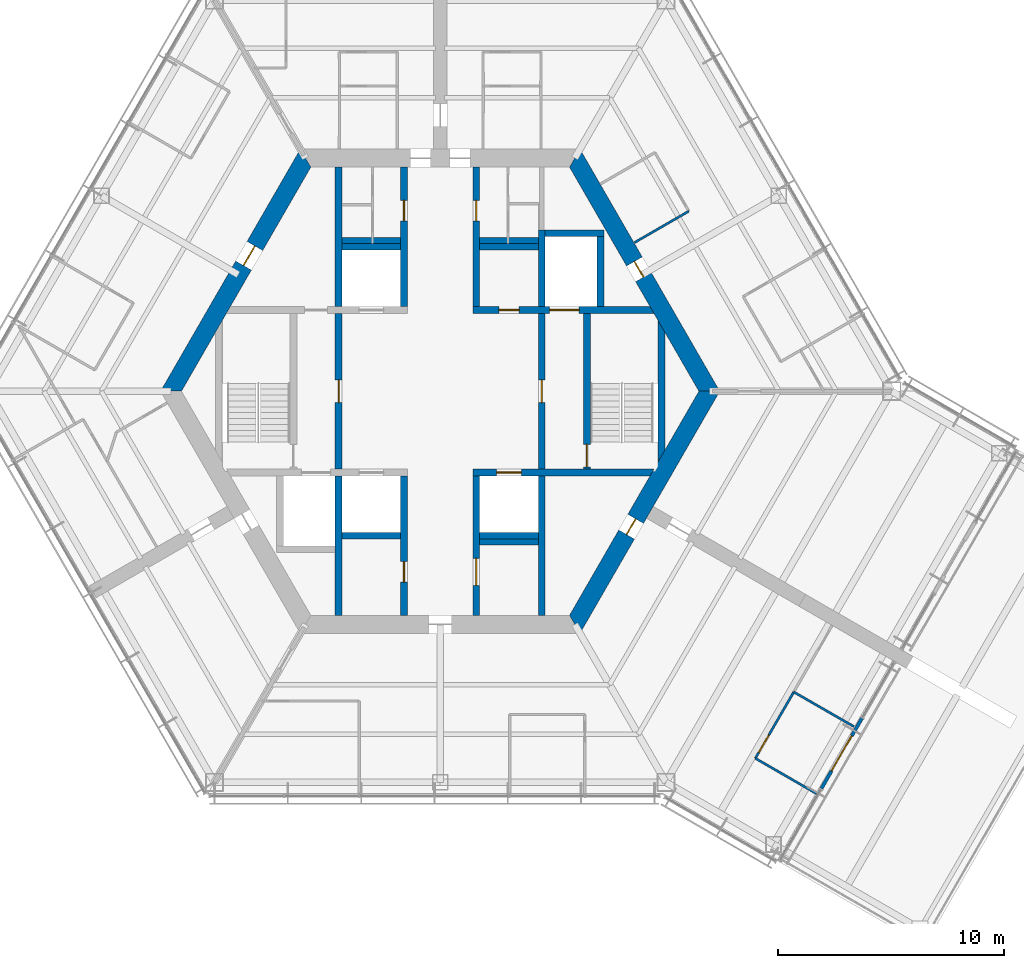
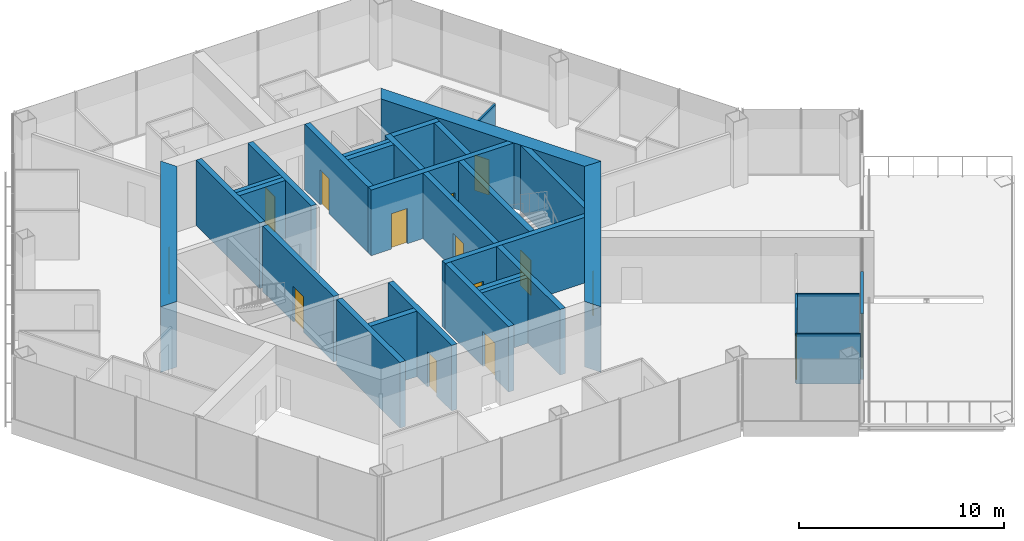
# One storey, part 8 of 13: 31 walls, 15 doors, 15 openings.
"""IFC4 building model written with IfcOpenShell, lengths in metres."""

from ifc_helpers import new_model, si_unit, direction, frame, frame_2d, origin, place, context, subcontext, project, spatial, polyline, rectangle, outline, extrude, material, layer, layer_set, type_object, element, fill, save


model = new_model("IFC4")

# Units and contexts
model_context = context("Model", 3, precision=1e-05, world=origin(), true_north=direction((0.0, 1.0)))
body_context = subcontext(model_context, "Body", "Model", "MODEL_VIEW")
ifc_project = project(units=[si_unit("LENGTHUNIT", "METRE"), si_unit("AREAUNIT", "SQUARE_METRE"), si_unit("VOLUMEUNIT", "CUBIC_METRE"), si_unit("PLANEANGLEUNIT", "RADIAN"), si_unit("MASSUNIT", "GRAM", prefix="KILO")], contexts=[model_context])

# Site, building, storey
site_placement = place(None, origin())
site = spatial("IfcSite", under=ifc_project, at=site_placement, CompositionType="ELEMENT")
building_placement = place(site_placement, origin())
building = spatial("IfcBuilding", under=site, at=building_placement, Name="Kasaneha Research Tower", CompositionType="ELEMENT")
storey_placement = place(building_placement, frame((0.0, 0.0, 267.39990234375)))
storey = spatial("IfcBuildingStorey", under=building, at=storey_placement, Name="L67", CompositionType="ELEMENT", Elevation=267.39990234375)

# Wall, openings, doors
ifc_material_1 = material(Name="Concrete Fc60", Category="concrete")
ifc_layer_1 = layer(ifc_material_1, 0.300048828125)
ifc_layer_set_1 = layer_set([ifc_layer_1], Name="Core internal wall 300 Fc60")
wall_type_1 = type_object("IfcWallType", Name="Core internal wall 300 Fc60", PredefinedType="SHEAR", material=ifc_layer_set_1)
wall_1_placement = place(storey_placement, frame((1.449951171875, 3.60009765625, 0.0), z_axis=(0.0, 0.0, 1.0), x_axis=(1.0, 0.0, 0.0)))
wall_1 = element("IfcWall", 1, at=wall_1_placement, inside=storey, type_object=wall_type_1, Name="Core wall W1E L67", PredefinedType="SHEAR", context=body_context, shape_type="SweptSolid", body=[
    extrude(outline(polyline([(0.0, -0.14990234375), (1.14990234375, -0.14990234375), (2.0498046875, -0.14990234375), (3.39990234375, -0.14990234375), (4.699951171875, -0.14990234375), (8.0185546875, -0.14990234375), (7.84521484375, 0.14990234375), (4.699951171875, 0.14990234375), (3.39990234375, 0.14990234375), (2.0498046875, 0.14990234375), (1.14990234375, 0.14990234375), (0.0, 0.14990234375), (0.0, -0.14990234375)])), origin(), (0.0, 0.0, 1.0), 3.900146484375),
])
opening_1_placement = place(wall_1_placement, frame((1.14990234375, 0.0, 0.0)))
opening_1 = element("IfcOpeningElement", 2, at=opening_1_placement, cuts=wall_1, Name="Opening L67-D17", PredefinedType="OPENING", context=body_context, shape_type="SweptSolid", body=[
    extrude(rectangle(XDim=0.89990234375, YDim=2.10009765625, at=frame_2d((0.449951171875, 1.050048828125))), frame((0.0, 0.16015625, 0.0), z_axis=(0.0, -1.0, 0.0), x_axis=(1.0, 0.0, 0.0)), (0.0, 0.0, 1.0), 0.320068359375),
])
opening_2_placement = place(wall_1_placement, frame((3.39990234375, 0.0, 0.0)))
opening_2 = element("IfcOpeningElement", 3, at=opening_2_placement, cuts=wall_1, Name="Opening LD-FL1-L67", PredefinedType="OPENING", context=body_context, shape_type="SweptSolid", body=[
    extrude(rectangle(XDim=1.300048828125, YDim=2.10009765625, at=frame_2d((0.64990234375, 1.050048828125))), frame((0.0, 0.16015625, 0.0), z_axis=(0.0, -1.0, 0.0), x_axis=(1.0, 0.0, 0.0)), (0.0, 0.0, 1.0), 0.320068359375),
])
ifc_material_2 = material(Name="Steel", Category="steel")
door_type_1 = type_object("IfcDoorType", Name="Lift landing door 1300x2100", OperationType="DOUBLE_DOOR_SLIDING", PredefinedType="DOOR", material=ifc_material_2)
door_1_placement = place(opening_2_placement, origin())
door_1 = element("IfcDoor", 4, at=door_1_placement, inside=storey, type_object=door_type_1, Name="Landing door FL1 LD-FL1-L67", OperationType="DOUBLE_DOOR_SLIDING", OverallHeight=2.10009765625, OverallWidth=1.300048828125, PredefinedType="DOOR", context=body_context, shape_type="SweptSolid", body=[
    extrude(rectangle(XDim=1.300048828125, YDim=2.10009765625, at=frame_2d((0.64990234375, 1.050048828125))), frame((0.0, 0.02490234375, 0.0), z_axis=(0.0, -1.0, 0.0), x_axis=(1.0, 0.0, 0.0)), (0.0, 0.0, 1.0), 0.050048828125),
])
fill(opening_2, door_1)
ifc_material_3 = material(Name="Steel", Category="steel")
door_type_2 = type_object("IfcDoorType", Name="Shaft room door FD60 900x2100", OperationType="NOTDEFINED", PredefinedType="DOOR", material=ifc_material_3)
door_2_placement = place(opening_1_placement, origin())
door_2 = element("IfcDoor", 5, at=door_2_placement, inside=storey, type_object=door_type_2, Name="Terrace maintenance store door L67-D17", OperationType="SINGLE_SWING_LEFT", OverallHeight=2.10009765625, OverallWidth=0.89990234375, PredefinedType="DOOR", context=body_context, shape_type="SweptSolid", body=[
    extrude(rectangle(XDim=0.89990234375, YDim=2.10009765625, at=frame_2d((0.449951171875, 1.050048828125))), frame((0.0, 0.02490234375, 0.0), z_axis=(0.0, -1.0, 0.0), x_axis=(1.0, 0.0, 0.0)), (0.0, 0.0, 1.0), 0.050048828125),
])
fill(opening_1, door_2)

# Wall, opening, door
wall_2_placement = place(storey_placement, frame((1.449951171875, -3.60009765625, 0.0), z_axis=(0.0, 0.0, 1.0), x_axis=(1.0, 0.0, 0.0)))
wall_2 = element("IfcWall", 6, at=wall_2_placement, inside=storey, type_object=wall_type_1, Name="Core wall W2E L67", PredefinedType="SHEAR", context=body_context, shape_type="SweptSolid", body=[
    extrude(outline(polyline([(0.0, -0.14990234375), (1.050048828125, -0.14990234375), (2.150146484375, -0.14990234375), (7.84521484375, -0.14990234375), (8.0185546875, 0.14990234375), (2.150146484375, 0.14990234375), (1.050048828125, 0.14990234375), (0.0, 0.14990234375), (0.0, -0.14990234375)])), origin(), (0.0, 0.0, 1.0), 3.900146484375),
])
opening_3_placement = place(wall_2_placement, frame((1.050048828125, 0.0, 0.0)))
opening_3 = element("IfcOpeningElement", 7, at=opening_3_placement, cuts=wall_2, Name="Opening LD-LH3-L67", PredefinedType="OPENING", context=body_context, shape_type="SweptSolid", body=[
    extrude(rectangle(XDim=1.10009765625, YDim=2.10009765625, at=frame_2d((0.550048828125, 1.050048828125))), frame((0.0, 0.16015625, 0.0), z_axis=(0.0, -1.0, 0.0), x_axis=(1.0, 0.0, 0.0)), (0.0, 0.0, 1.0), 0.320068359375),
])
ifc_material_4 = material(Name="Steel", Category="steel")
door_type_3 = type_object("IfcDoorType", Name="Lift landing door 1100x2100", OperationType="DOUBLE_DOOR_SLIDING", PredefinedType="DOOR", material=ifc_material_4)
door_3_placement = place(opening_3_placement, origin())
door_3 = element("IfcDoor", 8, at=door_3_placement, inside=storey, type_object=door_type_3, Name="Landing door LH3 LD-LH3-L67", OperationType="DOUBLE_DOOR_SLIDING", OverallHeight=2.10009765625, OverallWidth=1.10009765625, PredefinedType="DOOR", context=body_context, shape_type="SweptSolid", body=[
    extrude(rectangle(XDim=1.10009765625, YDim=2.10009765625, at=frame_2d((0.550048828125, 1.050048828125))), frame((0.0, 0.02490234375, 0.0), z_axis=(0.0, -1.0, 0.0), x_axis=(1.0, 0.0, 0.0)), (0.0, 0.0, 1.0), 0.050048828125),
])
fill(opening_3, door_3)

wall_3_placement = place(storey_placement, frame((-1.60009765625, 3.75, 0.0), z_axis=(0.0, 0.0, 1.0), x_axis=(0.0, 1.0, 0.0)))
wall_3 = element("IfcWall", 9, at=wall_3_placement, inside=storey, type_object=wall_type_1, Name="Core wall CNW L67", PredefinedType="SHEAR", context=body_context, shape_type="SweptSolid", body=[
    extrude(rectangle(XDim=6.175048828125, YDim=0.300048828125, at=frame_2d((3.08740234375, 0.0))), origin(), (0.0, 0.0, 1.0), 3.900146484375),
])
opening_4_placement = place(wall_3_placement, frame((3.800048828125, 0.0, 0.0)))
opening_4 = element("IfcOpeningElement", 10, at=opening_4_placement, cuts=wall_3, Name="Opening L67-D13", PredefinedType="OPENING", context=body_context, shape_type="SweptSolid", body=[
    extrude(rectangle(XDim=0.89990234375, YDim=2.10009765625, at=frame_2d((0.449951171875, 1.050048828125))), frame((0.0, 0.16015625, 0.0), z_axis=(0.0, -1.0, 0.0), x_axis=(1.0, 0.0, 0.0)), (0.0, 0.0, 1.0), 0.320068359375),
])
ifc_material_5 = material(Name="Steel", Category="steel")
door_type_4 = type_object("IfcDoorType", Name="Toilet door FD20 900x2100", OperationType="NOTDEFINED", PredefinedType="DOOR", material=ifc_material_5)
door_4_placement = place(opening_4_placement, origin())
door_4 = element("IfcDoor", 11, at=door_4_placement, inside=storey, type_object=door_type_4, Name="Men's WC door L67-D13", OperationType="SINGLE_SWING_LEFT", OverallHeight=2.10009765625, OverallWidth=0.89990234375, PredefinedType="DOOR", context=body_context, shape_type="SweptSolid", body=[
    extrude(rectangle(XDim=0.89990234375, YDim=2.10009765625, at=frame_2d((0.449951171875, 1.050048828125))), frame((0.0, 0.02490234375, 0.0), z_axis=(0.0, -1.0, 0.0), x_axis=(1.0, 0.0, 0.0)), (0.0, 0.0, 1.0), 0.050048828125),
])
fill(opening_4, door_4)

wall_4_placement = place(storey_placement, frame((1.60009765625, 3.75, 0.0), z_axis=(0.0, 0.0, 1.0), x_axis=(0.0, 1.0, 0.0)))
wall_4 = element("IfcWall", 12, at=wall_4_placement, inside=storey, type_object=wall_type_1, Name="Core wall CNE L67", PredefinedType="SHEAR", context=body_context, shape_type="SweptSolid", body=[
    extrude(rectangle(XDim=6.175048828125, YDim=0.300048828125, at=frame_2d((3.08740234375, 0.0))), origin(), (0.0, 0.0, 1.0), 3.900146484375),
])
opening_5_placement = place(wall_4_placement, frame((3.800048828125, 0.0, 0.0)))
opening_5 = element("IfcOpeningElement", 13, at=opening_5_placement, cuts=wall_4, Name="Opening L67-D14", PredefinedType="OPENING", context=body_context, shape_type="SweptSolid", body=[
    extrude(rectangle(XDim=0.89990234375, YDim=2.10009765625, at=frame_2d((0.449951171875, 1.050048828125))), frame((0.0, 0.16015625, 0.0), z_axis=(0.0, -1.0, 0.0), x_axis=(1.0, 0.0, 0.0)), (0.0, 0.0, 1.0), 0.320068359375),
])
door_5_placement = place(opening_5_placement, origin())
door_5 = element("IfcDoor", 14, at=door_5_placement, inside=storey, type_object=door_type_4, Name="Women's WC door L67-D14", OperationType="SINGLE_SWING_LEFT", OverallHeight=2.10009765625, OverallWidth=0.89990234375, PredefinedType="DOOR", context=body_context, shape_type="SweptSolid", body=[
    extrude(rectangle(XDim=0.89990234375, YDim=2.10009765625, at=frame_2d((0.449951171875, 1.050048828125))), frame((0.0, 0.02490234375, 0.0), z_axis=(0.0, -1.0, 0.0), x_axis=(1.0, 0.0, 0.0)), (0.0, 0.0, 1.0), 0.050048828125),
])
fill(opening_5, door_5)

wall_5_placement = place(storey_placement, frame((-1.60009765625, -3.75, 0.0), z_axis=(0.0, 0.0, 1.0), x_axis=(0.0, -1.0, 0.0)))
wall_5 = element("IfcWall", 15, at=wall_5_placement, inside=storey, type_object=wall_type_1, Name="Core wall CSW L67", PredefinedType="SHEAR", context=body_context, shape_type="SweptSolid", body=[
    extrude(rectangle(XDim=6.175048828125, YDim=0.300048828125, at=frame_2d((3.08740234375, 0.0))), origin(), (0.0, 0.0, 1.0), 3.900146484375),
])
opening_6_placement = place(wall_5_placement, frame((3.800048828125, 0.0, 0.0)))
opening_6 = element("IfcOpeningElement", 16, at=opening_6_placement, cuts=wall_5, Name="Opening L67-D16", PredefinedType="OPENING", context=body_context, shape_type="SweptSolid", body=[
    extrude(rectangle(XDim=0.89990234375, YDim=2.10009765625, at=frame_2d((0.449951171875, 1.050048828125))), frame((0.0, 0.16015625, 0.0), z_axis=(0.0, -1.0, 0.0), x_axis=(1.0, 0.0, 0.0)), (0.0, 0.0, 1.0), 0.320068359375),
])
ifc_material_6 = material(Name="Steel", Category="steel")
door_type_5 = type_object("IfcDoorType", Name="Riser access door FD60 900x2100", OperationType="NOTDEFINED", PredefinedType="DOOR", material=ifc_material_6)
door_6_placement = place(opening_6_placement, origin())
door_6 = element("IfcDoor", 17, at=door_6_placement, inside=storey, type_object=door_type_5, Name="Electrical riser door L67-D16", OperationType="SINGLE_SWING_LEFT", OverallHeight=2.10009765625, OverallWidth=0.89990234375, PredefinedType="DOOR", context=body_context, shape_type="SweptSolid", body=[
    extrude(rectangle(XDim=0.89990234375, YDim=2.10009765625, at=frame_2d((0.449951171875, 1.050048828125))), frame((0.0, 0.02490234375, 0.0), z_axis=(0.0, -1.0, 0.0), x_axis=(1.0, 0.0, 0.0)), (0.0, 0.0, 1.0), 0.050048828125),
])
fill(opening_6, door_6)

wall_6_placement = place(storey_placement, frame((1.60009765625, -3.75, 0.0), z_axis=(0.0, 0.0, 1.0), x_axis=(0.0, -1.0, 0.0)))
wall_6 = element("IfcWall", 18, at=wall_6_placement, inside=storey, type_object=wall_type_1, Name="Core wall CSE L67", PredefinedType="SHEAR", context=body_context, shape_type="SweptSolid", body=[
    extrude(rectangle(XDim=6.175048828125, YDim=0.300048828125, at=frame_2d((3.08740234375, 0.0))), origin(), (0.0, 0.0, 1.0), 3.900146484375),
])
opening_7_placement = place(wall_6_placement, frame((3.64990234375, 0.0, 0.0)))
opening_7 = element("IfcOpeningElement", 19, at=opening_7_placement, cuts=wall_6, Name="Opening L67-D15", PredefinedType="OPENING", context=body_context, shape_type="SweptSolid", body=[
    extrude(rectangle(XDim=1.199951171875, YDim=2.10009765625, at=frame_2d((0.60009765625, 1.050048828125))), frame((0.0, 0.16015625, 0.0), z_axis=(0.0, -1.0, 0.0), x_axis=(1.0, 0.0, 0.0)), (0.0, 0.0, 1.0), 0.320068359375),
])
ifc_material_7 = material(Name="Steel", Category="steel")
door_type_6 = type_object("IfcDoorType", Name="Accessible toilet sliding door FD20 1200x2100", OperationType="SLIDING_TO_LEFT", PredefinedType="DOOR", material=ifc_material_7)
door_7_placement = place(opening_7_placement, origin())
door_7 = element("IfcDoor", 20, at=door_7_placement, inside=storey, type_object=door_type_6, Name="Accessible WC door L67-D15", OperationType="SLIDING_TO_LEFT", OverallHeight=2.10009765625, OverallWidth=1.199951171875, PredefinedType="DOOR", context=body_context, shape_type="SweptSolid", body=[
    extrude(rectangle(XDim=1.199951171875, YDim=2.10009765625, at=frame_2d((0.60009765625, 1.050048828125))), frame((0.0, 0.02490234375, 0.0), z_axis=(0.0, -1.0, 0.0), x_axis=(1.0, 0.0, 0.0)), (0.0, 0.0, 1.0), 0.050048828125),
])
fill(opening_7, door_7)

wall_7_placement = place(storey_placement, frame((-4.5, -3.449951171875, 0.0), z_axis=(0.0, 0.0, 1.0), x_axis=(0.0, 1.0, 0.0)))
wall_7 = element("IfcWall", 21, at=wall_7_placement, inside=storey, type_object=wall_type_1, Name="Core wall LBW L67", PredefinedType="SHEAR", context=body_context, shape_type="SweptSolid", body=[
    extrude(rectangle(XDim=6.89990234375, YDim=0.300048828125, at=frame_2d((3.449951171875, 0.0))), origin(), (0.0, 0.0, 1.0), 3.900146484375),
])
opening_8_placement = place(wall_7_placement, frame((2.949951171875, 0.0, 0.0)))
opening_8 = element("IfcOpeningElement", 22, at=opening_8_placement, cuts=wall_7, Name="Opening L67-D09", PredefinedType="OPENING", context=body_context, shape_type="SweptSolid", body=[
    extrude(rectangle(XDim=1.0, YDim=2.10009765625, at=frame_2d((0.5, 1.050048828125))), frame((0.0, 0.16015625, 0.0), z_axis=(0.0, -1.0, 0.0), x_axis=(1.0, 0.0, 0.0)), (0.0, 0.0, 1.0), 0.320068359375),
])
ifc_material_8 = material(Name="Steel", Category="steel")
door_type_7 = type_object("IfcDoorType", Name="Specified fire door FD60 1000x2100", OperationType="NOTDEFINED", PredefinedType="DOOR", material=ifc_material_8)
door_8_placement = place(opening_8_placement, origin())
door_8 = element("IfcDoor", 23, at=door_8_placement, inside=storey, type_object=door_type_7, Name="Lift lobby door west L67-D09", OperationType="SINGLE_SWING_LEFT", OverallHeight=2.10009765625, OverallWidth=1.0, PredefinedType="DOOR", context=body_context, shape_type="SweptSolid", body=[
    extrude(rectangle(XDim=1.0, YDim=2.10009765625, at=frame_2d((0.5, 1.050048828125))), frame((0.0, 0.02490234375, 0.0), z_axis=(0.0, -1.0, 0.0), x_axis=(1.0, 0.0, 0.0)), (0.0, 0.0, 1.0), 0.050048828125),
])
fill(opening_8, door_8)

wall_8_placement = place(storey_placement, frame((4.5, -3.449951171875, 0.0), z_axis=(0.0, 0.0, 1.0), x_axis=(0.0, 1.0, 0.0)))
wall_8 = element("IfcWall", 24, at=wall_8_placement, inside=storey, type_object=wall_type_1, Name="Core wall LBE L67", PredefinedType="SHEAR", context=body_context, shape_type="SweptSolid", body=[
    extrude(rectangle(XDim=6.89990234375, YDim=0.300048828125, at=frame_2d((3.449951171875, 0.0))), origin(), (0.0, 0.0, 1.0), 3.900146484375),
])
opening_9_placement = place(wall_8_placement, frame((2.949951171875, 0.0, 0.0)))
opening_9 = element("IfcOpeningElement", 25, at=opening_9_placement, cuts=wall_8, Name="Opening L67-D08", PredefinedType="OPENING", context=body_context, shape_type="SweptSolid", body=[
    extrude(rectangle(XDim=1.0, YDim=2.10009765625, at=frame_2d((0.5, 1.050048828125))), frame((0.0, 0.16015625, 0.0), z_axis=(0.0, -1.0, 0.0), x_axis=(1.0, 0.0, 0.0)), (0.0, 0.0, 1.0), 0.320068359375),
])
door_9_placement = place(opening_9_placement, origin())
door_9 = element("IfcDoor", 26, at=door_9_placement, inside=storey, type_object=door_type_7, Name="Lift lobby door east L67-D08", OperationType="SINGLE_SWING_LEFT", OverallHeight=2.10009765625, OverallWidth=1.0, PredefinedType="DOOR", context=body_context, shape_type="SweptSolid", body=[
    extrude(rectangle(XDim=1.0, YDim=2.10009765625, at=frame_2d((0.5, 1.050048828125))), frame((0.0, 0.02490234375, 0.0), z_axis=(0.0, -1.0, 0.0), x_axis=(1.0, 0.0, 0.0)), (0.0, 0.0, 1.0), 0.050048828125),
])
fill(opening_9, door_9)

wall_9_placement = place(storey_placement, frame((6.5, -3.449951171875, 0.0), z_axis=(0.0, 0.0, 1.0), x_axis=(0.0, 1.0, 0.0)))
wall_9 = element("IfcWall", 27, at=wall_9_placement, inside=storey, type_object=wall_type_1, Name="Core wall ANE L67", PredefinedType="SHEAR", context=body_context, shape_type="SweptSolid", body=[
    extrude(rectangle(XDim=6.89990234375, YDim=0.300048828125, at=frame_2d((3.449951171875, 0.0))), origin(), (0.0, 0.0, 1.0), 3.900146484375),
])
opening_10_placement = place(wall_9_placement, frame((0.10009765625, 0.0, 0.0)))
opening_10 = element("IfcOpeningElement", 28, at=opening_10_placement, cuts=wall_9, Name="Opening L67-D10", PredefinedType="OPENING", context=body_context, shape_type="SweptSolid", body=[
    extrude(rectangle(XDim=1.0, YDim=2.10009765625, at=frame_2d((0.5, 1.050048828125))), frame((0.0, 0.16015625, 0.0), z_axis=(0.0, -1.0, 0.0), x_axis=(1.0, 0.0, 0.0)), (0.0, 0.0, 1.0), 0.320068359375),
])
door_10_placement = place(opening_10_placement, origin())
door_10 = element("IfcDoor", 29, at=door_10_placement, inside=storey, type_object=door_type_7, Name="Stair 1 door L67-D10", OperationType="SINGLE_SWING_LEFT", OverallHeight=2.10009765625, OverallWidth=1.0, PredefinedType="DOOR", context=body_context, shape_type="SweptSolid", body=[
    extrude(rectangle(XDim=1.0, YDim=2.10009765625, at=frame_2d((0.5, 1.050048828125))), frame((0.0, 0.02490234375, 0.0), z_axis=(0.0, -1.0, 0.0), x_axis=(1.0, 0.0, 0.0)), (0.0, 0.0, 1.0), 0.050048828125),
])
fill(opening_10, door_10)

# Walls
wall_10_placement = place(storey_placement, frame((-4.5, 3.75, 0.0), z_axis=(0.0, 0.0, 1.0), x_axis=(0.0, 1.0, 0.0)))
element("IfcWall", 30, at=wall_10_placement, inside=storey, type_object=wall_type_1, Name="Core wall VNW L67", PredefinedType="SHEAR", context=body_context, shape_type="SweptSolid", body=[
    extrude(rectangle(XDim=6.175048828125, YDim=0.300048828125, at=frame_2d((3.08740234375, 0.0))), origin(), (0.0, 0.0, 1.0), 3.900146484375),
])
wall_11_placement = place(storey_placement, frame((4.5, 3.75, 0.0), z_axis=(0.0, 0.0, 1.0), x_axis=(0.0, 1.0, 0.0)))
element("IfcWall", 31, at=wall_11_placement, inside=storey, type_object=wall_type_1, Name="Core wall FNE L67", PredefinedType="SHEAR", context=body_context, shape_type="SweptSolid", body=[
    extrude(rectangle(XDim=3.39990234375, YDim=0.300048828125, at=frame_2d((1.699951171875, 0.0))), origin(), (0.0, 0.0, 1.0), 3.900146484375),
])
for number, where, z_axis, x_axis, name in (
    (32, (-4.5, -3.75, 0.0), (0.0, 0.0, 1.0), (0.0, -1.0, 0.0), "Core wall SSW L67"),
    (33, (4.5, -3.75, 0.0), (0.0, 0.0, 1.0), (0.0, -1.0, 0.0), "Core wall SSE L67"),
):
    element("IfcWall", number, at=place(storey_placement, frame(where, z_axis=z_axis, x_axis=x_axis)), inside=storey, type_object=wall_type_1, Name=name, PredefinedType="SHEAR", context=body_context, shape_type="SweptSolid", body=[
        extrude(rectangle(XDim=6.175048828125, YDim=0.300048828125, at=frame_2d((3.08740234375, 0.0))), origin(), (0.0, 0.0, 1.0), 3.900146484375),
    ])
for number, where, z_axis, x_axis, name in (
    (34, (-4.35009765625, 6.39990234375, 0.0), (0.0, 0.0, 1.0), (1.0, 0.0, 0.0), "Core wall N1N L67"),
    (35, (1.75, 6.39990234375, 0.0), (0.0, 0.0, 1.0), (1.0, 0.0, 0.0), "Core wall N3N L67"),
    (36, (-4.35009765625, -6.39990234375, 0.0), (0.0, 0.0, 1.0), (1.0, 0.0, 0.0), "Core wall S1S L67"),
    (37, (1.75, -6.39990234375, 0.0), (0.0, 0.0, 1.0), (1.0, 0.0, 0.0), "Core wall S3S L67"),
    (38, (4.64990234375, 7.0, 0.0), (0.0, 0.0, 1.0), (1.0, 0.0, 0.0), "Core wall F1N L67"),
):
    element("IfcWall", number, at=place(storey_placement, frame(where, z_axis=z_axis, x_axis=x_axis)), inside=storey, type_object=wall_type_1, Name=name, PredefinedType="SHEAR", context=body_context, shape_type="SweptSolid", body=[
        extrude(rectangle(XDim=2.60009765625, YDim=0.300048828125, at=frame_2d((1.300048828125, 0.0))), origin(), (0.0, 0.0, 1.0), 3.900146484375),
    ])
wall_12_placement = place(storey_placement, frame((7.10009765625, 3.75, 0.0), z_axis=(0.0, 0.0, 1.0), x_axis=(0.0, 1.0, 0.0)))
element("IfcWall", 39, at=wall_12_placement, inside=storey, type_object=wall_type_1, Name="Core wall F1E L67", PredefinedType="SHEAR", context=body_context, shape_type="SweptSolid", body=[
    extrude(rectangle(XDim=3.10009765625, YDim=0.300048828125, at=frame_2d((1.550048828125, 0.0))), origin(), (0.0, 0.0, 1.0), 3.900146484375),
])
wall_13_placement = place(storey_placement, frame((9.807861328125, -2.8623046875, 0.0), z_axis=(0.0, 0.0, 1.0), x_axis=(0.0, 1.0, 0.0)))
element("IfcWall", 40, at=wall_13_placement, inside=storey, type_object=wall_type_1, Name="Core wall STE L67", PredefinedType="SHEAR", context=body_context, shape_type="SweptSolid", body=[
    extrude(outline(polyline([(0.259765625, -0.14990234375), (5.46484375, -0.14990234375), (5.984375, 0.14990234375), (-0.259765625, 0.14990234375), (0.259765625, -0.14990234375)])), origin(), (0.0, 0.0, 1.0), 3.900146484375),
])

# Wall, opening, door
ifc_material_9 = material(Name="Concrete Fc60", Category="concrete")
ifc_layer_2 = layer(ifc_material_9, 0.800048828125)
ifc_layer_set_2 = layer_set([ifc_layer_2], Name="Core wall 800 Fc60")
wall_type_2 = type_object("IfcWallType", Name="Core wall 800 Fc60", PredefinedType="SHEAR", material=ifc_layer_set_2)
wall_14_placement = place(storey_placement, frame((11.92236328125, 0.0, 0.0), z_axis=(0.0, 0.0, 1.0), x_axis=(-0.500004296715, 0.866022923061, 0.0)))
wall_14 = element("IfcWall", 41, at=wall_14_placement, inside=storey, type_object=wall_type_2, Name="Core wall 030 L67", PredefinedType="SHEAR", context=body_context, shape_type="SweptSolid", body=[
    extrude(outline(polyline([(-0.23095703125, -0.39990234375), (5.83544921875, -0.39990234375), (6.635498046875, -0.39990234375), (12.1533203125, -0.39990234375), (11.69140625, 0.39990234375), (6.635498046875, 0.39990234375), (5.83544921875, 0.39990234375), (0.23095703125, 0.39990234375), (-0.23095703125, -0.39990234375)])), origin(), (0.0, 0.0, 1.0), 3.900146484375),
])
opening_11_placement = place(wall_14_placement, frame((5.83544921875, 0.0, 0.0)))
opening_11 = element("IfcOpeningElement", 42, at=opening_11_placement, cuts=wall_14, Name="Opening L67-D04", PredefinedType="OPENING", context=body_context, shape_type="SweptSolid", body=[
    extrude(rectangle(XDim=0.800048828125, YDim=2.10009765625, at=frame_2d((0.39990234375, 1.050048828125))), frame((0.0, 0.41015625, 0.0), z_axis=(0.0, -1.0, 0.0), x_axis=(1.0, 0.0, 0.0)), (0.0, 0.0, 1.0), 0.820068359375),
])
ifc_material_10 = material(Name="Steel", Category="steel")
door_type_8 = type_object("IfcDoorType", Name="Riser access door FD60 800x2100", OperationType="NOTDEFINED", PredefinedType="DOOR", material=ifc_material_10)
door_11_placement = place(opening_11_placement, origin())
door_11 = element("IfcDoor", 43, at=door_11_placement, inside=storey, type_object=door_type_8, Name="Pipe riser door L67-D04", OperationType="SINGLE_SWING_RIGHT", OverallHeight=2.10009765625, OverallWidth=0.800048828125, PredefinedType="DOOR", context=body_context, shape_type="SweptSolid", body=[
    extrude(rectangle(XDim=0.800048828125, YDim=2.10009765625, at=frame_2d((0.39990234375, 1.050048828125))), frame((0.0, 0.02490234375, 0.0), z_axis=(0.0, -1.0, 0.0), x_axis=(1.0, 0.0, 0.0)), (0.0, 0.0, 1.0), 0.050048828125),
])
fill(opening_11, door_11)

wall_15_placement = place(storey_placement, frame((-5.961181640625, 10.324951171875, 0.0), z_axis=(0.0, 0.0, 1.0), x_axis=(-0.500004296715, -0.866022923061, 0.0)))
wall_15 = element("IfcWall", 44, at=wall_15_placement, inside=storey, type_object=wall_type_2, Name="Core wall 150 L67", PredefinedType="SHEAR", context=body_context, shape_type="SweptSolid", body=[
    extrude(outline(polyline([(-0.23095703125, -0.39990234375), (4.494140625, -0.39990234375), (5.494140625, -0.39990234375), (12.1533203125, -0.39990234375), (11.69140625, 0.39990234375), (5.494140625, 0.39990234375), (4.494140625, 0.39990234375), (0.23095703125, 0.39990234375), (-0.23095703125, -0.39990234375)])), origin(), (0.0, 0.0, 1.0), 3.900146484375),
])
opening_12_placement = place(wall_15_placement, frame((4.494140625, 0.0, 0.0)))
opening_12 = element("IfcOpeningElement", 45, at=opening_12_placement, cuts=wall_15, Name="Opening L67-D07", PredefinedType="OPENING", context=body_context, shape_type="SweptSolid", body=[
    extrude(rectangle(XDim=1.0, YDim=2.10009765625, at=frame_2d((0.5, 1.050048828125))), frame((0.0, 0.41015625, 0.0), z_axis=(0.0, -1.0, 0.0), x_axis=(1.0, 0.0, 0.0)), (0.0, 0.0, 1.0), 0.820068359375),
])
ifc_material_11 = material(Name="Steel", Category="steel")
door_type_9 = type_object("IfcDoorType", Name="Fire door FD20 1000x2100", OperationType="NOTDEFINED", PredefinedType="DOOR", material=ifc_material_11)
door_12_placement = place(opening_12_placement, origin())
door_12 = element("IfcDoor", 46, at=door_12_placement, inside=storey, type_object=door_type_9, Name="Vestibule door L67-D07", OperationType="SINGLE_SWING_LEFT", OverallHeight=2.10009765625, OverallWidth=1.0, PredefinedType="DOOR", context=body_context, shape_type="SweptSolid", body=[
    extrude(rectangle(XDim=1.0, YDim=2.10009765625, at=frame_2d((0.5, 1.050048828125))), frame((0.0, 0.02490234375, 0.0), z_axis=(0.0, -1.0, 0.0), x_axis=(1.0, 0.0, 0.0)), (0.0, 0.0, 1.0), 0.050048828125),
])
fill(opening_12, door_12)

wall_16_placement = place(storey_placement, frame((5.961181640625, -10.324951171875, 0.0), z_axis=(0.0, 0.0, 1.0), x_axis=(0.500004296715, 0.866022923061, 0.0)))
wall_16 = element("IfcWall", 47, at=wall_16_placement, inside=storey, type_object=wall_type_2, Name="Core wall 330 L67", PredefinedType="SHEAR", context=body_context, shape_type="SweptSolid", body=[
    extrude(outline(polyline([(-0.23095703125, -0.39990234375), (4.593994140625, -0.39990234375), (5.39404296875, -0.39990234375), (12.1533203125, -0.39990234375), (11.69140625, 0.39990234375), (5.39404296875, 0.39990234375), (4.593994140625, 0.39990234375), (0.23095703125, 0.39990234375), (-0.23095703125, -0.39990234375)])), origin(), (0.0, 0.0, 1.0), 3.900146484375),
])
opening_13_placement = place(wall_16_placement, frame((4.593994140625, 0.0, 0.0)))
opening_13 = element("IfcOpeningElement", 48, at=opening_13_placement, cuts=wall_16, Name="Opening L67-D05", PredefinedType="OPENING", context=body_context, shape_type="SweptSolid", body=[
    extrude(rectangle(XDim=0.800048828125, YDim=2.10009765625, at=frame_2d((0.39990234375, 1.050048828125))), frame((0.0, 0.41015625, 0.0), z_axis=(0.0, -1.0, 0.0), x_axis=(1.0, 0.0, 0.0)), (0.0, 0.0, 1.0), 0.820068359375),
])
door_13_placement = place(opening_13_placement, origin())
door_13 = element("IfcDoor", 49, at=door_13_placement, inside=storey, type_object=door_type_8, Name="Pipe riser door L67-D05", OperationType="SINGLE_SWING_LEFT", OverallHeight=2.10009765625, OverallWidth=0.800048828125, PredefinedType="DOOR", context=body_context, shape_type="SweptSolid", body=[
    extrude(rectangle(XDim=0.800048828125, YDim=2.10009765625, at=frame_2d((0.39990234375, 1.050048828125))), frame((0.0, 0.02490234375, 0.0), z_axis=(0.0, -1.0, 0.0), x_axis=(1.0, 0.0, 0.0)), (0.0, 0.0, 1.0), 0.050048828125),
])
fill(opening_13, door_13)

ifc_material_12 = material(Name="Glass and aluminium", Category="aluminium")
ifc_layer_3 = layer(ifc_material_12, 0.14990234375)
ifc_layer_set_3 = layer_set([ifc_layer_3], Name="Glazed entrance screen 150")
wall_type_3 = type_object("IfcWallType", Name="Glazed entrance screen 150", PredefinedType="STANDARD", material=ifc_layer_set_3)
wall_17_placement = place(storey_placement, frame((16.8828125, -17.59912109375, 0.0), z_axis=(0.0, 0.0, 1.0), x_axis=(0.500012057535, 0.866018442252, 0.0)))
wall_17 = element("IfcWall", 50, at=wall_17_placement, inside=storey, type_object=wall_type_3, Name="Glazed entrance screen L67", PredefinedType="STANDARD", context=body_context, shape_type="SweptSolid", body=[
    extrude(rectangle(XDim=3.60009765625, YDim=0.14990234375, at=frame_2d((1.800048828125, 0.0))), origin(), (0.0, 0.0, 1.0), 3.900146484375),
])
opening_14_placement = place(wall_17_placement, frame((0.89990234375, 0.0, 0.0)))
opening_14 = element("IfcOpeningElement", 51, at=opening_14_placement, cuts=wall_17, Name="Opening L67-ED12", PredefinedType="OPENING", context=body_context, shape_type="SweptSolid", body=[
    extrude(rectangle(XDim=1.800048828125, YDim=2.10009765625, at=frame_2d((0.89990234375, 1.050048828125))), frame((0.0, 0.0849609375, 0.0), z_axis=(0.0, -1.0, 0.0), x_axis=(1.0, 0.0, 0.0)), (0.0, 0.0, 1.0), 0.169921875),
])
ifc_material_13 = material(Name="Glass and aluminium", Category="aluminium")
door_type_10 = type_object("IfcDoorType", Name="Terrace door 1800x2100", OperationType="DOUBLE_DOOR_SINGLE_SWING", PredefinedType="DOOR", material=ifc_material_13)
door_14_placement = place(opening_14_placement, origin())
door_14 = element("IfcDoor", 52, at=door_14_placement, inside=storey, type_object=door_type_10, Name="Terrace door L67-ED12", OperationType="DOUBLE_DOOR_SINGLE_SWING", OverallHeight=2.10009765625, OverallWidth=1.800048828125, PredefinedType="DOOR", context=body_context, shape_type="SweptSolid", body=[
    extrude(rectangle(XDim=1.800048828125, YDim=2.10009765625, at=frame_2d((0.89990234375, 1.050048828125))), frame((0.0, 0.02490234375, 0.0), z_axis=(0.0, -1.0, 0.0), x_axis=(1.0, 0.0, 0.0)), (0.0, 0.0, 1.0), 0.050048828125),
])
fill(opening_14, door_14)

# Walls
ifc_material_14 = material(Name="Gypsum board on steel studs, one layer each side", Category="steel")
ifc_layer_4 = layer(ifc_material_14, 0.10009765625)
ifc_layer_set_4 = layer_set([ifc_layer_4], Name="Office partition 100")
wall_type_4 = type_object("IfcWallType", Name="Office partition 100", PredefinedType="PARTITIONING", material=ifc_layer_set_4)
wall_18_placement = place(storey_placement, frame((11.012939453125, 7.974853515625, 0.0), z_axis=(0.0, 0.0, 1.0), x_axis=(-0.86603494908, -0.499983466698, 0.0)))
element("IfcWall", 53, at=wall_18_placement, inside=storey, type_object=wall_type_4, Name="Office partition FAE09 L67", PredefinedType="PARTITIONING", context=body_context, shape_type="SweptSolid", body=[
    extrude(rectangle(XDim=2.77978515625, YDim=0.10009765625, at=frame_2d((1.389892578125, 0.0))), origin(), (0.0, 0.0, 1.0), 2.9501953125),
])
wall_19_placement = place(storey_placement, frame((15.658935546875, -13.31884765625, 0.0), z_axis=(0.0, 0.0, 1.0), x_axis=(0.866844641549, -0.498578346319, 0.0)))
element("IfcWall", 54, at=wall_19_placement, inside=storey, type_object=wall_type_4, Name="Office partition FCS06 L67", PredefinedType="PARTITIONING", context=body_context, shape_type="SweptSolid", body=[
    extrude(rectangle(XDim=3.080078125, YDim=0.10009765625, at=frame_2d((1.5400390625, 0.0))), origin(), (0.0, 0.0, 1.0), 2.9501953125),
])

# Wall, opening, door
wall_20_placement = place(storey_placement, frame((13.96142578125, -16.259033203125, 0.0), z_axis=(0.0, 0.0, 1.0), x_axis=(0.501149490816, 0.865360727012, 0.0)))
wall_20 = element("IfcWall", 55, at=wall_20_placement, inside=storey, type_object=wall_type_4, Name="Office partition FCS07 L67", PredefinedType="PARTITIONING", context=body_context, shape_type="SweptSolid", body=[
    extrude(rectangle(XDim=3.39990234375, YDim=0.10009765625, at=frame_2d((1.699951171875, 0.0))), origin(), (0.0, 0.0, 1.0), 2.9501953125),
])
opening_15_placement = place(wall_20_placement, frame((0.300048828125, 0.0, 0.0)))
opening_15 = element("IfcOpeningElement", 56, at=opening_15_placement, cuts=wall_20, Name="Opening L67-D43", PredefinedType="OPENING", context=body_context, shape_type="SweptSolid", body=[
    extrude(rectangle(XDim=0.89990234375, YDim=2.10009765625, at=frame_2d((0.449951171875, 1.050048828125))), frame((0.0, 0.06005859375, 0.0), z_axis=(0.0, -1.0, 0.0), x_axis=(1.0, 0.0, 0.0)), (0.0, 0.0, 1.0), 0.1201171875),
])
ifc_material_15 = material(Name="Timber veneer", Category="wood")
door_type_11 = type_object("IfcDoorType", Name="Office door 900x2100", OperationType="SINGLE_SWING_LEFT", PredefinedType="DOOR", material=ifc_material_15)
door_15_placement = place(opening_15_placement, origin())
door_15 = element("IfcDoor", 57, at=door_15_placement, inside=storey, type_object=door_type_11, Name="Workroom door L67-D43", OperationType="SINGLE_SWING_LEFT", OverallHeight=2.10009765625, OverallWidth=0.89990234375, PredefinedType="DOOR", context=body_context, shape_type="SweptSolid", body=[
    extrude(rectangle(XDim=0.89990234375, YDim=2.10009765625, at=frame_2d((0.449951171875, 1.050048828125))), frame((0.0, 0.02490234375, 0.0), z_axis=(0.0, -1.0, 0.0), x_axis=(1.0, 0.0, 0.0)), (0.0, 0.0, 1.0), 0.050048828125),
])
fill(opening_15, door_15)

# Walls
wall_21_placement = place(storey_placement, frame((16.675537109375, -17.825927734375, 0.0), z_axis=(0.0, 0.0, 1.0), x_axis=(-0.866038995786, 0.499976457224, 0.0)))
element("IfcWall", 58, at=wall_21_placement, inside=storey, type_object=wall_type_4, Name="Office partition FCS08 L67", PredefinedType="PARTITIONING", context=body_context, shape_type="SweptSolid", body=[
    extrude(rectangle(XDim=3.134033203125, YDim=0.10009765625, at=frame_2d((1.56689453125, 0.0))), origin(), (0.0, 0.0, 1.0), 2.9501953125),
])
ifc_material_16 = material(Name="Concrete block lining", Category="concrete")
ifc_layer_5 = layer(ifc_material_16, 0.25)
ifc_layer_set_5 = layer_set([ifc_layer_5], Name="WC plumbing wall 250")
wall_type_5 = type_object("IfcWallType", Name="WC plumbing wall 250", PredefinedType="PLUMBINGWALL", material=ifc_layer_set_5)
for number, where, z_axis, x_axis, name in (
    (59, (-4.35009765625, 6.675048828125, 0.0), (0.0, 0.0, 1.0), (1.0, 0.0, 0.0), "WC plumbing wall M L67"),
    (60, (1.75, 6.675048828125, 0.0), (0.0, 0.0, 1.0), (1.0, 0.0, 0.0), "WC plumbing wall F L67"),
    (61, (1.75, -6.675048828125, 0.0), (0.0, 0.0, 1.0), (1.0, 0.0, 0.0), "WC plumbing wall A L67"),
):
    element("IfcWall", number, at=place(storey_placement, frame(where, z_axis=z_axis, x_axis=x_axis)), inside=storey, type_object=wall_type_5, Name=name, PredefinedType="PLUMBINGWALL", context=body_context, shape_type="SweptSolid", body=[
        extrude(rectangle(XDim=2.60009765625, YDim=0.25, at=frame_2d((1.300048828125, 0.0))), origin(), (0.0, 0.0, 1.0), 3.900146484375),
    ])

save(model, "model.ifc")
